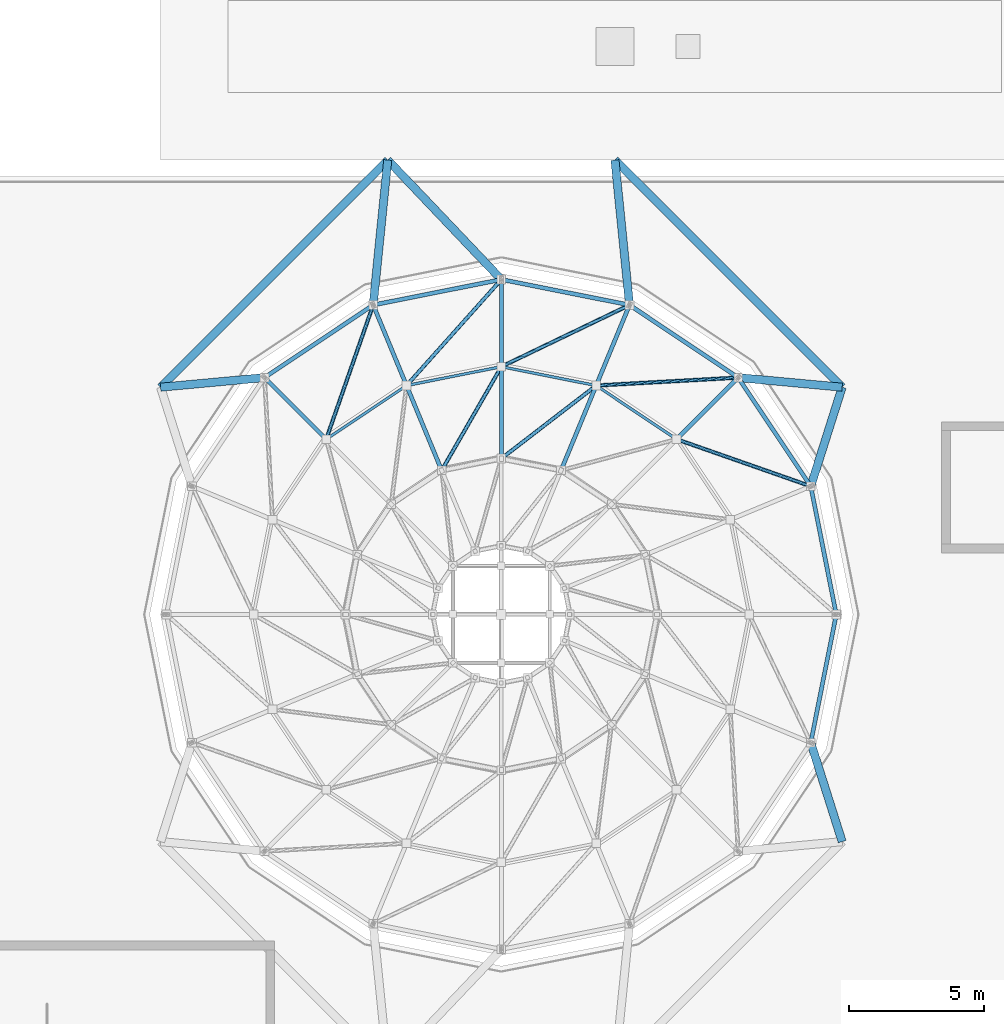
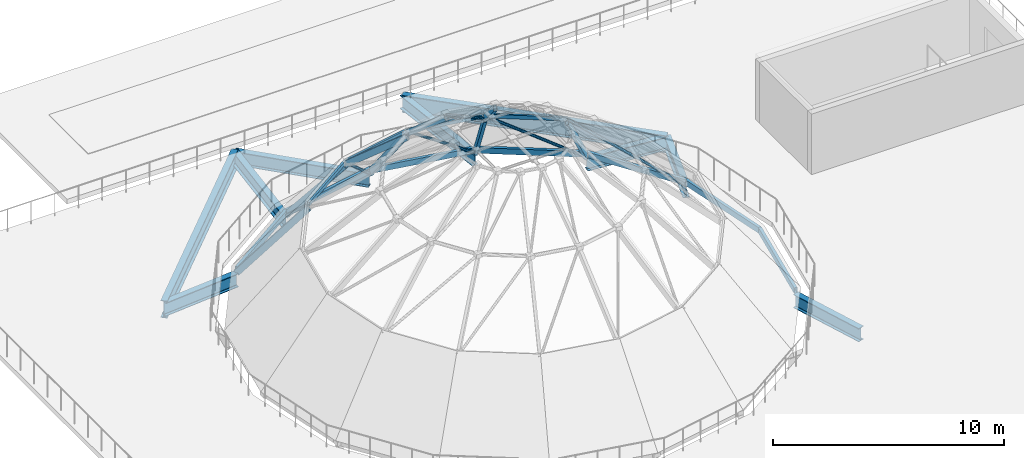
# One storey, part 7 of 40: 26 members, 9 beams.
"""IFC4 building model written with IfcOpenShell, lengths in metres."""

from ifc_helpers import new_model, si_unit, direction, frame, origin, origin_2d, place, context, subcontext, project, spatial, hollow_rectangle, hollow_circle, i_section, extrude, material, material_profile, profile_set, type_object, element, save


model = new_model("IFC4")

# Units and contexts
model_context = context("Model", 3, precision=1e-05, world=origin(), true_north=direction((0.0, 1.0)))
body_context = subcontext(model_context, "Body", "Model", "MODEL_VIEW")
ifc_project = project(units=[si_unit("LENGTHUNIT", "METRE"), si_unit("AREAUNIT", "SQUARE_METRE"), si_unit("VOLUMEUNIT", "CUBIC_METRE"), si_unit("PLANEANGLEUNIT", "RADIAN"), si_unit("MASSUNIT", "GRAM", prefix="KILO"), si_unit("THERMODYNAMICTEMPERATUREUNIT", "KELVIN")], contexts=[model_context])

# Site, building, storey
site_placement = place(None, origin())
site = spatial("IfcSite", under=ifc_project, at=site_placement, CompositionType="ELEMENT")
building_placement = place(site_placement, origin())
building = spatial("IfcBuilding", under=site, at=building_placement, Name="Lustrewick Department Store", CompositionType="ELEMENT")
storey_placement = place(building_placement, frame((0.0, 0.0, 31.800048828125)))
storey = spatial("IfcBuildingStorey", under=building, at=storey_placement, Name="L07", CompositionType="ELEMENT", Elevation=31.800048828125)

# Members
ifc_material_1 = material(Name="Structural steel Q355C", Category="steel")
ifc_material_profile_1 = material_profile(ifc_material_1, hollow_rectangle(XDim=0.14990234375, YDim=0.300048828125, WallThickness=0.010009765625, at=origin_2d()), Name="RHS 300x150x10")
ifc_profile_set_1 = profile_set([ifc_material_profile_1], Name="Structural steel Q355C")
member_type_1 = type_object("IfcMemberType", Name="DR01", PredefinedType="USERDEFINED", material=ifc_profile_set_1)
member_1_placement = place(storey_placement, frame((41.782470703125, 67.199951171875, -0.170654296875), z_axis=(-0.195095714882, 0.98078420768, 0.0), x_axis=(-0.98078420768, -0.195095714882, 0.0)))
element("IfcMember", 1, at=member_1_placement, inside=storey, type_object=member_type_1, Name="L07 Dome Drum Tension Ring Beam 01", ObjectType="ARCH_SEGMENT", PredefinedType="USERDEFINED", context=body_context, shape_type="SweptSolid", body=[
    extrude(hollow_rectangle(XDim=0.14990234375, YDim=0.300048828125, WallThickness=0.010009765625, at=origin_2d()), origin(), (0.0, 0.0, 1.0), 4.83154296875),
])
for number, where, z_axis, x_axis, name in (
    (2, (40.83984375, 71.938720703125, -0.170654296875), (-0.55556285078, 0.83147454491, 0.0), (-0.83147454491, -0.55556285078, 0.0), "L07 Dome Drum Tension Ring Beam 02"),
    (3, (38.15576171875, 75.955810546875, -0.170654296875), (-0.83147454491, 0.55556285078, 0.0), (-0.55556285078, -0.83147454491, 0.0), "L07 Dome Drum Tension Ring Beam 03"),
):
    element("IfcMember", number, at=place(storey_placement, frame(where, z_axis=z_axis, x_axis=x_axis)), inside=storey, type_object=member_type_1, Name=name, ObjectType="ARCH_SEGMENT", PredefinedType="USERDEFINED", context=body_context, shape_type="SweptSolid", body=[
        extrude(hollow_rectangle(XDim=0.14990234375, YDim=0.300048828125, WallThickness=0.010009765625, at=origin_2d()), origin(), (0.0, 0.0, 1.0), 4.831298828125),
    ])
member_2_placement = place(storey_placement, frame((34.138671875, 78.639892578125, -0.170654296875), z_axis=(-0.98078420768, 0.195095714882, 0.0), x_axis=(-0.195095714882, -0.98078420768, 0.0)))
element("IfcMember", 4, at=member_2_placement, inside=storey, type_object=member_type_1, Name="L07 Dome Drum Tension Ring Beam 04", ObjectType="ARCH_SEGMENT", PredefinedType="USERDEFINED", context=body_context, shape_type="SweptSolid", body=[
    extrude(hollow_rectangle(XDim=0.14990234375, YDim=0.300048828125, WallThickness=0.010009765625, at=origin_2d()), origin(), (0.0, 0.0, 1.0), 4.83154296875),
])
for number, where, z_axis, x_axis, name in (
    (5, (29.39990234375, 79.58251953125, -0.170654296875), (-0.980782284253, -0.195105384075, 0.0), (0.195105384075, -0.980782284253, 0.0), "L07 Dome Drum Tension Ring Beam 05"),
    (6, (24.661376953125, 78.639892578125, -0.170654296875), (-0.83147454491, -0.55556285078, 0.0), (0.55556285078, -0.83147454491, 0.0), "L07 Dome Drum Tension Ring Beam 06"),
    (7, (40.83984375, 62.46142578125, -0.170654296875), (0.195105384075, 0.980782284253, 0.0), (-0.980782284253, 0.195105384075, 0.0), "L07 Dome Drum Tension Ring Beam 16"),
):
    element("IfcMember", number, at=place(storey_placement, frame(where, z_axis=z_axis, x_axis=x_axis)), inside=storey, type_object=member_type_1, Name=name, ObjectType="ARCH_SEGMENT", PredefinedType="USERDEFINED", context=body_context, shape_type="SweptSolid", body=[
        extrude(hollow_rectangle(XDim=0.14990234375, YDim=0.300048828125, WallThickness=0.010009765625, at=origin_2d()), origin(), (0.0, 0.0, 1.0), 4.831298828125),
    ])
member_3_placement = place(storey_placement, frame((38.15576171875, 75.955810546875, -0.32666015625), z_axis=(-0.443450133335, -0.443450133335, 0.778912035143), x_axis=(0.707106781187, -0.707106781187, 0.0)))
element("IfcMember", 8, at=member_3_placement, inside=storey, type_object=member_type_1, Name="V1 Dome Arch Segment 1.03", ObjectType="ARCH_SEGMENT", PredefinedType="USERDEFINED", context=body_context, shape_type="SweptSolid", body=[
    extrude(hollow_rectangle(XDim=0.14990234375, YDim=0.300048828125, WallThickness=0.010009765625, at=origin_2d()), origin(), (0.0, 0.0, 1.0), 5.138916015625),
])
for number, where, z_axis, x_axis, name in (
    (9, (34.138671875, 78.639892578125, -0.32666015625), (-0.240017807162, -0.579377901493, 0.778917646165), (0.9238617037, -0.382726472086, 0.0), "V1 Dome Arch Segment 1.04"),
    (10, (29.39990234375, 79.58251953125, -0.32666015625), (0.0, -0.627125427781, 0.778918287005), (1.0, 0.0, 0.0), "V1 Dome Arch Segment 1.05"),
    (11, (24.661376953125, 78.639892578125, -0.32666015625), (0.240017807162, -0.579377901493, 0.778917646165), (0.9238617037, 0.382726472086, 0.0), "V1 Dome Arch Segment 1.06"),
):
    element("IfcMember", number, at=place(storey_placement, frame(where, z_axis=z_axis, x_axis=x_axis)), inside=storey, type_object=member_type_1, Name=name, ObjectType="ARCH_SEGMENT", PredefinedType="USERDEFINED", context=body_context, shape_type="SweptSolid", body=[
        extrude(hollow_rectangle(XDim=0.14990234375, YDim=0.300048828125, WallThickness=0.010009765625, at=origin_2d()), origin(), (0.0, 0.0, 1.0), 5.138671875),
    ])
member_4_placement = place(storey_placement, frame((20.644287109375, 75.955810546875, -0.32666015625), z_axis=(0.443450133335, -0.443450133335, 0.778912035143), x_axis=(0.707106781187, 0.707106781187, 0.0)))
element("IfcMember", 12, at=member_4_placement, inside=storey, type_object=member_type_1, Name="V1 Dome Arch Segment 1.07", ObjectType="ARCH_SEGMENT", PredefinedType="USERDEFINED", context=body_context, shape_type="SweptSolid", body=[
    extrude(hollow_rectangle(XDim=0.14990234375, YDim=0.300048828125, WallThickness=0.010009765625, at=origin_2d()), origin(), (0.0, 0.0, 1.0), 5.138916015625),
])
for number, where, z_axis, x_axis, name in (
    (13, (32.8974609375, 75.643798828125, 3.746337890625), (-0.291046406414, -0.702779982677, 0.649147352503), (0.923904905479, -0.382622170858, 0.0), "V1 Dome Arch Segment 2.04"),
    (14, (29.39990234375, 76.33935546875, 3.746337890625), (0.0, -0.760656585404, 0.649154495542), (1.0, 0.0, 0.0), "V1 Dome Arch Segment 2.05"),
    (15, (25.902587890625, 75.643798828125, 3.746337890625), (0.291046406414, -0.702779982677, 0.649147352503), (0.923904905479, 0.382622170858, 0.0), "V1 Dome Arch Segment 2.06"),
):
    element("IfcMember", number, at=place(storey_placement, frame(where, z_axis=z_axis, x_axis=x_axis)), inside=storey, type_object=member_type_1, Name=name, ObjectType="ARCH_SEGMENT", PredefinedType="USERDEFINED", context=body_context, shape_type="SweptSolid", body=[
        extrude(hollow_rectangle(XDim=0.14990234375, YDim=0.300048828125, WallThickness=0.010009765625, at=origin_2d()), origin(), (0.0, 0.0, 1.0), 4.438232421875),
    ])
ifc_material_2 = material(Name="Structural steel Q355B", Category="steel")
ifc_material_profile_2 = material_profile(ifc_material_2, hollow_rectangle(XDim=0.10009765625, YDim=0.199951171875, WallThickness=0.008056640625, at=origin_2d()), Name="RHS 200x100x8")
ifc_profile_set_2 = profile_set([ifc_material_profile_2], Name="Structural steel Q355B")
member_type_2 = type_object("IfcMemberType", Name="DR04", PredefinedType="PURLIN", material=ifc_profile_set_2)
for number, where, z_axis, x_axis, name in (
    (16, (35.876953125, 73.677001953125, 3.865966796875), (-0.831471833175, 0.555566909235, 0.0), (-0.555566909235, -0.831471833175, 0.0), "V1 Dome Tension Ring Member 1.03"),
    (17, (32.9052734375, 75.66259765625, 3.865966796875), (-0.980785068281, 0.195091388425, 0.0), (-0.195091388425, -0.980785068281, 0.0), "V1 Dome Tension Ring Member 1.04"),
):
    element("IfcMember", number, at=place(storey_placement, frame(where, z_axis=z_axis, x_axis=x_axis)), inside=storey, type_object=member_type_2, Name=name, PredefinedType="PURLIN", context=body_context, shape_type="SweptSolid", body=[
        extrude(hollow_rectangle(XDim=0.10009765625, YDim=0.199951171875, WallThickness=0.008056640625, at=origin_2d()), origin(), (0.0, 0.0, 1.0), 3.573974609375),
    ])
member_5_placement = place(storey_placement, frame((29.39990234375, 76.35986328125, 3.865966796875), z_axis=(-0.980782468123, -0.195104459773, 0.0), x_axis=(0.195104459773, -0.980782468123, 0.0)))
element("IfcMember", 18, at=member_5_placement, inside=storey, type_object=member_type_2, Name="V1 Dome Tension Ring Member 1.05", PredefinedType="PURLIN", context=body_context, shape_type="SweptSolid", body=[
    extrude(hollow_rectangle(XDim=0.10009765625, YDim=0.199951171875, WallThickness=0.008056640625, at=origin_2d()), origin(), (0.0, 0.0, 1.0), 3.57373046875),
])
member_6_placement = place(storey_placement, frame((25.894775390625, 75.66259765625, 3.865966796875), z_axis=(-0.831471833175, -0.555566909235, 0.0), x_axis=(0.555566909235, -0.831471833175, 0.0)))
element("IfcMember", 19, at=member_6_placement, inside=storey, type_object=member_type_2, Name="V1 Dome Tension Ring Member 1.06", PredefinedType="PURLIN", context=body_context, shape_type="SweptSolid", body=[
    extrude(hollow_rectangle(XDim=0.10009765625, YDim=0.199951171875, WallThickness=0.008056640625, at=origin_2d()), origin(), (0.0, 0.0, 1.0), 3.573974609375),
])
ifc_material_profile_3 = material_profile(ifc_material_1, hollow_circle(Radius=0.070068359375, WallThickness=0.006103515625, at=origin_2d()), Name="CHS 140x6")
ifc_profile_set_3 = profile_set([ifc_material_profile_3], Name="Structural steel Q355C")
member_type_3 = type_object("IfcMemberType", Name="DR10", PredefinedType="BRACE", material=ifc_profile_set_3)
member_7_placement = place(storey_placement, frame((40.83984375, 71.938720703125, -0.3515625), z_axis=(-0.737606427224, 0.258350932794, 0.623852189259), x_axis=(-0.330565493422, -0.943783054816, 0.0)))
element("IfcMember", 20, at=member_7_placement, inside=storey, type_object=member_type_3, Name="V1 Dome Wind Brace 1.02", PredefinedType="BRACE", context=body_context, shape_type="SweptSolid", body=[
    extrude(hollow_circle(Radius=0.070068359375, WallThickness=0.006103515625, at=origin_2d()), origin(), (0.0, 0.0, 1.0), 6.728271484375),
])
for number, where, z_axis, x_axis, name in (
    (21, (38.15576171875, 75.955810546875, -0.3515625), (-0.780335827675, -0.043577761045, 0.623840504288), (0.055758003313, -0.998444312451, 0.0), "V1 Dome Wind Brace 1.03"),
    (22, (34.138671875, 78.639892578125, -0.3515625), (-0.704276620764, -0.338858287549, 0.62383451524), (0.433568533567, -0.901120594982, 0.0), "V1 Dome Wind Brace 1.04"),
):
    element("IfcMember", number, at=place(storey_placement, frame(where, z_axis=z_axis, x_axis=x_axis)), inside=storey, type_object=member_type_3, Name=name, PredefinedType="BRACE", context=body_context, shape_type="SweptSolid", body=[
        extrude(hollow_circle(Radius=0.070068359375, WallThickness=0.006103515625, at=origin_2d()), origin(), (0.0, 0.0, 1.0), 6.728515625),
    ])
for number, where, z_axis, x_axis, name in (
    (23, (29.39990234375, 79.58251953125, -0.3515625), (-0.520948404734, -0.582597171165, 0.623853585191), (0.745446489585, -0.666565474027, 0.0), "V1 Dome Wind Brace 1.05"),
    (24, (24.661376953125, 78.639892578125, -0.3515625), (-0.258350932794, -0.737606427224, 0.623852189259), (0.943783054816, -0.330565493422, 0.0), "V1 Dome Wind Brace 1.06"),
):
    element("IfcMember", number, at=place(storey_placement, frame(where, z_axis=z_axis, x_axis=x_axis)), inside=storey, type_object=member_type_3, Name=name, PredefinedType="BRACE", context=body_context, shape_type="SweptSolid", body=[
        extrude(hollow_circle(Radius=0.070068359375, WallThickness=0.006103515625, at=origin_2d()), origin(), (0.0, 0.0, 1.0), 6.728271484375),
    ])
for number, where, z_axis, x_axis, name in (
    (25, (32.9052734375, 75.66259765625, 3.703857421875), (-0.652055712606, -0.502098339502, 0.56808503336), (0.610105378427, -0.792320280704, 0.0), "V1 Dome Wind Brace 2.04"),
    (26, (29.39990234375, 76.35986328125, 3.703857421875), (-0.410271639143, -0.71341124411, 0.568085890418), (0.866874705045, -0.498526073294, 0.0), "V1 Dome Wind Brace 2.05"),
):
    element("IfcMember", number, at=place(storey_placement, frame(where, z_axis=z_axis, x_axis=x_axis)), inside=storey, type_object=member_type_3, Name=name, PredefinedType="BRACE", context=body_context, shape_type="SweptSolid", body=[
        extrude(hollow_circle(Radius=0.070068359375, WallThickness=0.006103515625, at=origin_2d()), origin(), (0.0, 0.0, 1.0), 5.3759765625),
    ])

# Beams
ifc_material_profile_4 = material_profile(ifc_material_1, i_section(OverallWidth=0.302001953125, OverallDepth=0.912109375, WebThickness=0.01806640625, FlangeThickness=0.033935546875, FilletRadius=0.02392578125, at=origin_2d()), Name="HN 912x302x18x34")
ifc_profile_set_4 = profile_set([ifc_material_profile_4], Name="Structural steel Q355C")
beam_type_1 = type_object("IfcBeamType", Name="G01", PredefinedType="BEAM", material=ifc_profile_set_4)
for number, where, z_axis, x_axis, name in (
    (27, (42.0, 75.60009765625, -0.72607421875), (-0.707106781187, 0.707106781187, 0.0), (-0.707106781187, -0.707106781187, 0.0), "L07 Dome Drum Cradle Girder 3"),
    (28, (25.199951171875, 84.0, -0.72607421875), (-0.707106781187, -0.707106781187, 0.0), (0.707106781187, -0.707106781187, 0.0), "L07 Dome Drum Cradle Girder 4"),
):
    element("IfcBeam", number, at=place(storey_placement, frame(where, z_axis=z_axis, x_axis=x_axis)), inside=storey, type_object=beam_type_1, Name=name, PredefinedType="BEAM", context=body_context, shape_type="SweptSolid", body=[
        extrude(i_section(OverallWidth=0.302001953125, OverallDepth=0.912109375, WebThickness=0.01806640625, FlangeThickness=0.033935546875, FilletRadius=0.02392578125, at=origin_2d()), origin(), (0.0, 0.0, 1.0), 11.879150390625),
    ])
ifc_material_profile_5 = material_profile(ifc_material_1, i_section(OverallWidth=0.302001953125, OverallDepth=0.7080078125, WebThickness=0.014892578125, FlangeThickness=0.028076171875, FilletRadius=0.02001953125, at=origin_2d()), Name="HN 708x302x15x28")
ifc_profile_set_5 = profile_set([ifc_material_profile_5], Name="Structural steel Q355C")
beam_type_2 = type_object("IfcBeamType", Name="G07", PredefinedType="BEAM", material=ifc_profile_set_5)
beam_1_placement = place(storey_placement, frame((42.0, 75.60009765625, -0.65966796875), z_axis=(-0.30206212731, -0.953288241428, 0.0), x_axis=(0.953288241428, -0.30206212731, 0.0)))
element("IfcBeam", 29, at=beam_1_placement, inside=storey, type_object=beam_type_2, Name="L07 Dome Drum Radial Tension Tie Beam 01", PredefinedType="BEAM", context=body_context, shape_type="SweptSolid", body=[
    extrude(i_section(OverallWidth=0.302001953125, OverallDepth=0.7080078125, WebThickness=0.014892578125, FlangeThickness=0.028076171875, FilletRadius=0.02001953125, at=origin_2d()), origin(), (0.0, 0.0, 1.0), 3.8408203125),
])
beam_2_placement = place(storey_placement, frame((42.0, 75.60009765625, -0.65966796875), z_axis=(-0.995746262804, 0.092137832142, 0.0), x_axis=(-0.092137832142, -0.995746262804, 0.0)))
element("IfcBeam", 30, at=beam_2_placement, inside=storey, type_object=beam_type_2, Name="L07 Dome Drum Radial Tension Tie Beam 02", PredefinedType="BEAM", context=body_context, shape_type="SweptSolid", body=[
    extrude(i_section(OverallWidth=0.302001953125, OverallDepth=0.7080078125, WebThickness=0.014892578125, FlangeThickness=0.028076171875, FilletRadius=0.02001953125, at=origin_2d()), origin(), (0.0, 0.0, 1.0), 3.860595703125),
])
beam_3_placement = place(storey_placement, frame((33.60009765625, 84.0, -0.65966796875), z_axis=(0.099974851346, -0.99498996432, 0.0), x_axis=(0.99498996432, 0.099974851346, 0.0)))
element("IfcBeam", 31, at=beam_3_placement, inside=storey, type_object=beam_type_2, Name="L07 Dome Drum Radial Tension Tie Beam 03", PredefinedType="BEAM", context=body_context, shape_type="SweptSolid", body=[
    extrude(i_section(OverallWidth=0.302001953125, OverallDepth=0.7080078125, WebThickness=0.014892578125, FlangeThickness=0.028076171875, FilletRadius=0.02001953125, at=origin_2d()), origin(), (0.0, 0.0, 1.0), 5.38720703125),
])
beam_4_placement = place(storey_placement, frame((25.199951171875, 84.0, -0.65966796875), z_axis=(0.68903783366, -0.724725371286, 0.0), x_axis=(0.724725371286, 0.68903783366, 0.0)))
element("IfcBeam", 32, at=beam_4_placement, inside=storey, type_object=beam_type_2, Name="L07 Dome Drum Radial Tension Tie Beam 04", PredefinedType="BEAM", context=body_context, shape_type="SweptSolid", body=[
    extrude(i_section(OverallWidth=0.302001953125, OverallDepth=0.7080078125, WebThickness=0.014892578125, FlangeThickness=0.028076171875, FilletRadius=0.02001953125, at=origin_2d()), origin(), (0.0, 0.0, 1.0), 6.095458984375),
])
beam_5_placement = place(storey_placement, frame((25.199951171875, 84.0, -0.65966796875), z_axis=(-0.099974851346, -0.99498996432, 0.0), x_axis=(0.99498996432, -0.099974851346, 0.0)))
element("IfcBeam", 33, at=beam_5_placement, inside=storey, type_object=beam_type_2, Name="L07 Dome Drum Radial Tension Tie Beam 05", PredefinedType="BEAM", context=body_context, shape_type="SweptSolid", body=[
    extrude(i_section(OverallWidth=0.302001953125, OverallDepth=0.7080078125, WebThickness=0.014892578125, FlangeThickness=0.028076171875, FilletRadius=0.02001953125, at=origin_2d()), origin(), (0.0, 0.0, 1.0), 5.38720703125),
])
beam_6_placement = place(storey_placement, frame((16.800048828125, 75.60009765625, -0.65966796875), z_axis=(0.995746262804, 0.092137832142, 0.0), x_axis=(-0.092137832142, 0.995746262804, 0.0)))
element("IfcBeam", 34, at=beam_6_placement, inside=storey, type_object=beam_type_2, Name="L07 Dome Drum Radial Tension Tie Beam 06", PredefinedType="BEAM", context=body_context, shape_type="SweptSolid", body=[
    extrude(i_section(OverallWidth=0.302001953125, OverallDepth=0.7080078125, WebThickness=0.014892578125, FlangeThickness=0.028076171875, FilletRadius=0.02001953125, at=origin_2d()), origin(), (0.0, 0.0, 1.0), 3.860595703125),
])
beam_7_placement = place(storey_placement, frame((42.0, 58.800048828125, -0.65966796875), z_axis=(-0.30206212731, 0.953288241428, 0.0), x_axis=(-0.953288241428, -0.30206212731, 0.0)))
element("IfcBeam", 35, at=beam_7_placement, inside=storey, type_object=beam_type_2, Name="L07 Dome Drum Radial Tension Tie Beam 15", PredefinedType="BEAM", context=body_context, shape_type="SweptSolid", body=[
    extrude(i_section(OverallWidth=0.302001953125, OverallDepth=0.7080078125, WebThickness=0.014892578125, FlangeThickness=0.028076171875, FilletRadius=0.02001953125, at=origin_2d()), origin(), (0.0, 0.0, 1.0), 3.8408203125),
])

save(model, "model.ifc")
